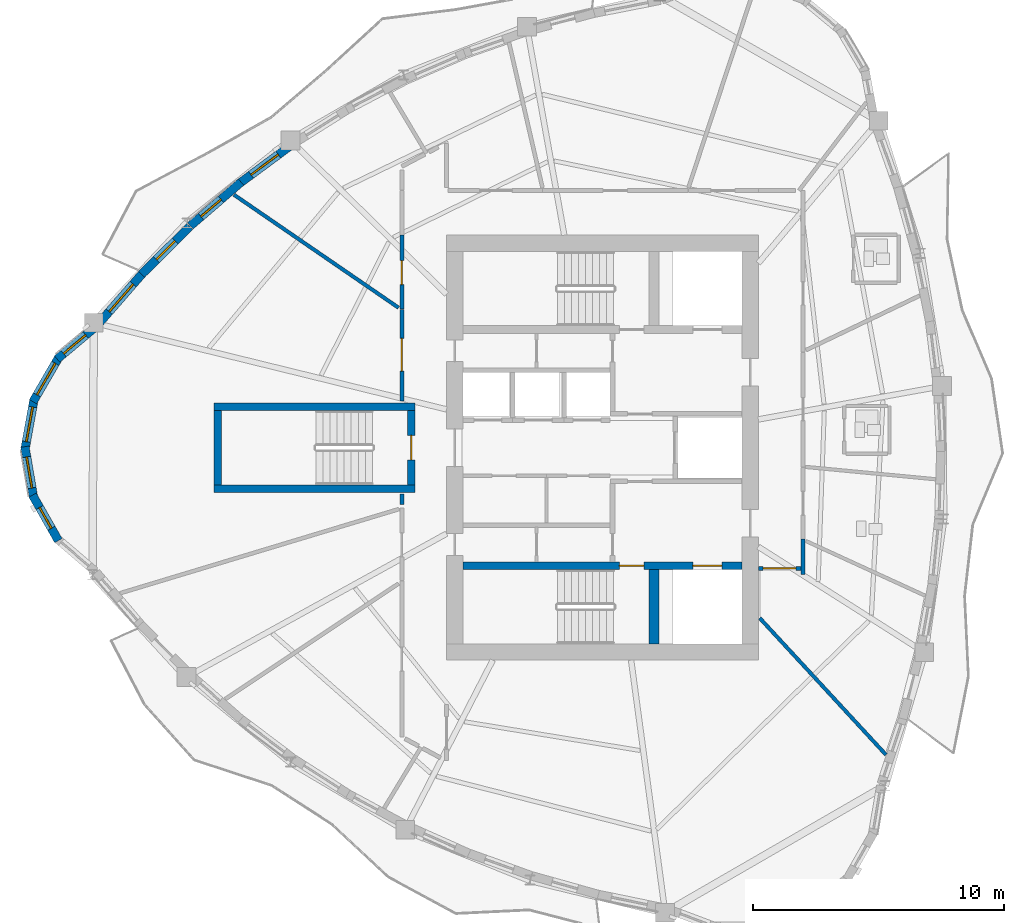
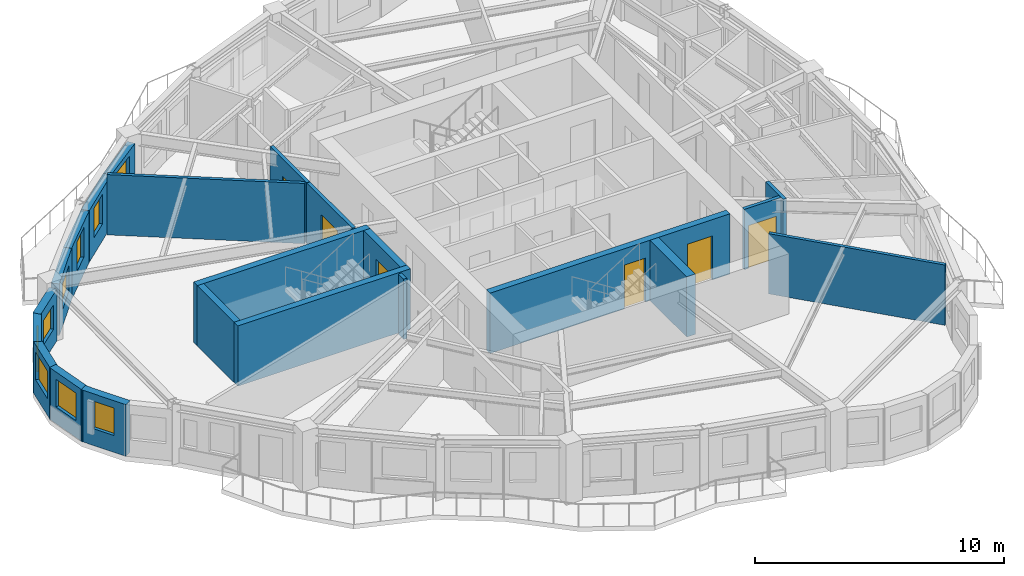
# One storey, part 4 of 12: 22 walls, 9 windows, 6 doors, 15 openings.
"""IFC4 building model written with IfcOpenShell, lengths in metres."""

from ifc_helpers import new_model, si_unit, direction, frame, frame_2d, origin, place, context, subcontext, project, spatial, rectangle, extrude, source, transform, mapped, material, layer, layer_set, type_object, element, fill, save


model = new_model("IFC4")

# Units and contexts
model_context = context("Model", 3, precision=1e-05, world=origin(), true_north=direction((0.0, 1.0)))
body_context = subcontext(model_context, "Body", "Model", "MODEL_VIEW")
ifc_project = project(units=[si_unit("LENGTHUNIT", "METRE"), si_unit("AREAUNIT", "SQUARE_METRE"), si_unit("VOLUMEUNIT", "CUBIC_METRE"), si_unit("PLANEANGLEUNIT", "RADIAN"), si_unit("MASSUNIT", "GRAM", prefix="KILO")], contexts=[model_context])

# Site, building, storey
site_placement = place(None, origin())
site = spatial("IfcSite", under=ifc_project, at=site_placement, CompositionType="ELEMENT")
building_placement = place(site_placement, origin())
building = spatial("IfcBuilding", under=site, at=building_placement, Name="Qafzar Sky-Pleat Residences", CompositionType="ELEMENT")
storey_placement = place(building_placement, frame((0.0, 0.0, 142.60009765625)))
storey = spatial("IfcBuildingStorey", under=building, at=storey_placement, Name="L42", CompositionType="ELEMENT", Elevation=142.60009765625)

# Wall, opening, door
ifc_material_1 = material(Name="Acoustic gypsum plasterboard partition", Category="gypsum")
ifc_layer_1 = layer(ifc_material_1, 0.159912109375)
ifc_layer_set_1 = layer_set([ifc_layer_1], Name="Acoustic gypsum plasterboard partition")
wall_type_1 = type_object("IfcWallType", Name="PART-COR-160", PredefinedType="PARTITIONING", material=ifc_layer_set_1)
wall_1_placement = place(storey_placement, frame((22.3701171875, 27.85009765625, 0.0), z_axis=(0.0, 0.0, 1.0), x_axis=(0.0, 1.0, 0.0)))
wall_1 = element("IfcWall", 1, at=wall_1_placement, inside=storey, type_object=wall_type_1, Name="L42 Partition Wall PART-L42-PW-006", PredefinedType="PARTITIONING", context=body_context, shape_type="SweptSolid", body=[
    extrude(rectangle(XDim=3.64599609375, YDim=0.159912109375, at=frame_2d((1.822998046875, 0.0))), origin(), (0.0, 0.0, 1.0), 2.949951171875),
])
opening_1_placement = place(wall_1_placement, frame((1.193603515625, 0.0, 0.0)))
opening_1 = element("IfcOpeningElement", 2, at=opening_1_placement, cuts=wall_1, Name="Opening ID-05", PredefinedType="OPENING", context=body_context, shape_type="SweptSolid", body=[
    extrude(rectangle(XDim=1.300048828125, YDim=2.10009765625, at=frame_2d((0.64990234375, 1.050048828125))), frame((0.0, 0.08984375, 0.0), z_axis=(0.0, -1.0, 0.0), x_axis=(1.0, 0.0, 0.0)), (0.0, 0.0, 1.0), 0.179931640625),
])
ifc_material_2 = material(Name="Timber-faced fire door", Category="wood")
door_type_1 = type_object("IfcDoorType", Name="DR-LNG-1300", OperationType="DOUBLE_DOOR_SINGLE_SWING", PredefinedType="DOOR", material=ifc_material_2)
shared_shape_1 = source(origin(), body_context, "Body", "SweptSolid", [
    extrude(rectangle(XDim=1.300048828125, YDim=2.10009765625, at=frame_2d((0.64990234375, 1.050048828125))), frame((0.0, 0.02490234375, 0.0), z_axis=(0.0, -1.0, 0.0), x_axis=(1.0, 0.0, 0.0)), (0.0, 0.0, 1.0), 0.050048828125),
])
door_1_placement = place(opening_1_placement, origin())
door_1 = element("IfcDoor", 3, at=door_1_placement, inside=storey, type_object=door_type_1, Name="L42 Tutorial Huddle Room Door", OperationType="DOUBLE_DOOR_SINGLE_SWING", OverallHeight=2.10009765625, OverallWidth=1.300048828125, PredefinedType="DOOR", context=body_context, shape_type="MappedRepresentation", body=[
    mapped(shared_shape_1, transform((0.0, 0.0, 0.0), x_axis=(1.0, 0.0, 0.0), y_axis=(0.0, 1.0, 0.0), z_axis=(0.0, 0.0, 1.0), scale=1.0)),
])
fill(opening_1, door_1)

wall_2_placement = place(storey_placement, frame((22.3701171875, 31.510986328125, 0.0), z_axis=(0.0, 0.0, 1.0), x_axis=(0.0, 1.0, 0.0)))
wall_2 = element("IfcWall", 4, at=wall_2_placement, inside=storey, type_object=wall_type_1, Name="L42 Partition Wall PART-L42-PW-007", PredefinedType="PARTITIONING", context=body_context, shape_type="SweptSolid", body=[
    extrude(rectangle(XDim=2.93896484375, YDim=0.159912109375, at=frame_2d((1.469482421875, 0.0))), origin(), (0.0, 0.0, 1.0), 2.949951171875),
])
opening_2_placement = place(wall_2_placement, frame((0.972900390625, 0.0, 0.0)))
opening_2 = element("IfcOpeningElement", 5, at=opening_2_placement, cuts=wall_2, Name="Opening ID-06", PredefinedType="OPENING", context=body_context, shape_type="SweptSolid", body=[
    extrude(rectangle(XDim=0.9599609375, YDim=2.10009765625, at=frame_2d((0.47998046875, 1.050048828125))), frame((0.0, 0.08984375, 0.0), z_axis=(0.0, -1.0, 0.0), x_axis=(1.0, 0.0, 0.0)), (0.0, 0.0, 1.0), 0.179931640625),
])
door_type_2 = type_object("IfcDoorType", Name="DR-STD-960", OperationType="NOTDEFINED", PredefinedType="DOOR", material=ifc_material_2)
shared_shape_2 = source(origin(), body_context, "Body", "SweptSolid", [
    extrude(rectangle(XDim=0.9599609375, YDim=2.10009765625, at=frame_2d((0.47998046875, 1.050048828125))), frame((0.0, 0.02490234375, 0.0), z_axis=(0.0, -1.0, 0.0), x_axis=(1.0, 0.0, 0.0)), (0.0, 0.0, 1.0), 0.050048828125),
])
door_2_placement = place(opening_2_placement, origin())
door_2 = element("IfcDoor", 6, at=door_2_placement, inside=storey, type_object=door_type_2, Name="L42 Media Screening Room Door", OperationType="SINGLE_SWING_LEFT", OverallHeight=2.10009765625, OverallWidth=0.9599609375, PredefinedType="DOOR", context=body_context, shape_type="MappedRepresentation", body=[
    mapped(shared_shape_2, transform((0.0, 0.0, 0.0), x_axis=(1.0, 0.0, 0.0), y_axis=(0.0, 1.0, 0.0), z_axis=(0.0, 0.0, 1.0), scale=1.0)),
])
fill(opening_2, door_2)

wall_3_placement = place(storey_placement, frame((38.241943359375, 21.199951171875, 0.0), z_axis=(0.0, 0.0, 1.0), x_axis=(-1.0, 0.0, 0.0)))
wall_3 = element("IfcWall", 7, at=wall_3_placement, inside=storey, type_object=wall_type_1, Name="L42 Partition Wall PART-L42-PW-014", PredefinedType="PARTITIONING", context=body_context, shape_type="SweptSolid", body=[
    extrude(rectangle(XDim=1.683837890625, YDim=0.159912109375, at=frame_2d((0.841796875, 0.0))), origin(), (0.0, 0.0, 1.0), 2.949951171875),
])
opening_3_placement = place(wall_3_placement, frame((0.199951171875, 0.0, 0.0)))
opening_3 = element("IfcOpeningElement", 8, at=opening_3_placement, cuts=wall_3, Name="Opening ID-05", PredefinedType="OPENING", context=body_context, shape_type="SweptSolid", body=[
    extrude(rectangle(XDim=1.300048828125, YDim=2.10009765625, at=frame_2d((0.64990234375, 1.050048828125))), frame((0.0, 0.08984375, 0.0), z_axis=(0.0, -1.0, 0.0), x_axis=(1.0, 0.0, 0.0)), (0.0, 0.0, 1.0), 0.179931640625),
])
door_3_placement = place(opening_3_placement, origin())
door_3 = element("IfcDoor", 9, at=door_3_placement, inside=storey, type_object=door_type_1, Name="L42 Co-Living Lounge Door", OperationType="DOUBLE_DOOR_SINGLE_SWING", OverallHeight=2.10009765625, OverallWidth=1.300048828125, PredefinedType="DOOR", context=body_context, shape_type="MappedRepresentation", body=[
    mapped(shared_shape_1, transform((0.0, 0.0, 0.0), x_axis=(1.0, 0.0, 0.0), y_axis=(0.0, 1.0, 0.0), z_axis=(0.0, 0.0, 1.0), scale=1.0)),
])
fill(opening_3, door_3)

# Walls
wall_4_placement = place(storey_placement, frame((38.330078125, 20.9599609375, 0.0), z_axis=(0.0, 0.0, 1.0), x_axis=(0.0, 1.0, 0.0)))
element("IfcWall", 10, at=wall_4_placement, inside=storey, type_object=wall_type_1, Name="L42 Partition Wall PART-L42-PW-038", PredefinedType="PARTITIONING", context=body_context, shape_type="SweptSolid", body=[
    extrude(rectangle(XDim=1.407958984375, YDim=0.159912109375, at=frame_2d((0.7041015625, 0.0))), origin(), (0.0, 0.0, 1.0), 2.949951171875),
])
wall_5_placement = place(storey_placement, frame((22.3701171875, 23.73095703125, 0.0), z_axis=(0.0, 0.0, 1.0), x_axis=(0.0, 1.0, 0.0)))
element("IfcWall", 11, at=wall_5_placement, inside=storey, type_object=wall_type_1, Name="L42 Partition Wall PART-L42-PW-042", PredefinedType="PARTITIONING", context=body_context, shape_type="SweptSolid", body=[
    extrude(rectangle(XDim=0.4189453125, YDim=0.159912109375, at=frame_2d((0.20947265625, 0.0))), origin(), (0.0, 0.0, 1.0), 2.949951171875),
])
ifc_layer_2 = layer(ifc_material_1, 0.14501953125)
ifc_layer_set_2 = layer_set([ifc_layer_2], Name="Acoustic gypsum plasterboard partition")
wall_type_2 = type_object("IfcWallType", Name="PART-UNIT-145", PredefinedType="PARTITIONING", material=ifc_layer_set_2)
wall_6_placement = place(storey_placement, frame((15.696044921875, 36.059814453125, 0.0), z_axis=(0.0, 0.0, 1.0), x_axis=(0.824423900824, -0.565972818914, 0.0)))
element("IfcWall", 12, at=wall_6_placement, inside=storey, type_object=wall_type_2, Name="L42 Partition Wall PART-L42-PW-018", PredefinedType="PARTITIONING", context=body_context, shape_type="SweptSolid", body=[
    extrude(rectangle(XDim=7.940673828125, YDim=0.14501953125, at=frame_2d((3.97021484375, 0.0))), origin(), (0.0, 0.0, 1.0), 2.949951171875),
])
wall_7_placement = place(storey_placement, frame((36.608642578125, 19.221435546875, 0.0), z_axis=(0.0, 0.0, 1.0), x_axis=(0.67832941292, -0.734757924467, 0.0)))
element("IfcWall", 13, at=wall_7_placement, inside=storey, type_object=wall_type_2, Name="L42 Partition Wall PART-L42-PW-019", PredefinedType="PARTITIONING", context=body_context, shape_type="SweptSolid", body=[
    extrude(rectangle(XDim=7.40283203125, YDim=0.14501953125, at=frame_2d((3.701416015625, 0.0))), origin(), (0.0, 0.0, 1.0), 2.949951171875),
])

# Wall, opening, window
ifc_material_3 = material(Name="Precast concrete C40/50 with honed Riyadh limestone", Category="concrete")
ifc_layer_3 = layer(ifc_material_3, 0.340087890625)
ifc_layer_set_3 = layer_set([ifc_layer_3], Name="Precast concrete C40/50 with honed Riyadh limestone")
wall_type_3 = type_object("IfcWallType", Name="WALL-EXT-340", PredefinedType="SOLIDWALL", material=ifc_layer_set_3)
wall_8_placement = place(storey_placement, frame((10.109375, 30.737548828125, 0.0), z_axis=(0.0, 0.0, 1.0), x_axis=(-0.76661852922, -0.642102819381, 0.0)))
wall_8 = element("IfcWall", 14, at=wall_8_placement, inside=storey, type_object=wall_type_3, Name="L42 Limestone Facade Wall 1", PredefinedType="SOLIDWALL", context=body_context, shape_type="SweptSolid", body=[
    extrude(rectangle(XDim=1.88818359375, YDim=0.340087890625, at=frame_2d((0.944091796875, 0.0))), origin(), (0.0, 0.0, 1.0), 2.52978515625),
])
opening_4_placement = place(wall_8_placement, frame((0.404052734375, 0.0, 0.820068359375)))
opening_4 = element("IfcOpeningElement", 15, at=opening_4_placement, cuts=wall_8, Name="Opening WN-16", PredefinedType="OPENING", context=body_context, shape_type="SweptSolid", body=[
    extrude(rectangle(XDim=1.14990234375, YDim=1.199951171875, at=frame_2d((0.574951171875, 0.60009765625))), frame((0.0, 0.18017578125, 0.0), z_axis=(0.0, -1.0, 0.0), x_axis=(1.0, 0.0, 0.0)), (0.0, 0.0, 1.0), 0.360107421875),
])
ifc_material_4 = material(Name="Solar-control low-E glass in bronze aluminium frame", Category="glass")
window_type_1 = type_object("IfcWindowType", Name="WIN-16", PartitioningType="SINGLE_PANEL", PredefinedType="WINDOW", material=ifc_material_4)
shared_shape_3 = source(origin(), body_context, "Body", "SweptSolid", [
    extrude(rectangle(XDim=1.14990234375, YDim=1.199951171875, at=frame_2d((0.574951171875, 0.60009765625))), frame((0.0, 0.030029296875, 0.0), z_axis=(0.0, -1.0, 0.0), x_axis=(1.0, 0.0, 0.0)), (0.0, 0.0, 1.0), 0.06005859375),
])
window_1_placement = place(opening_4_placement, origin())
window_1 = element("IfcWindow", 16, at=window_1_placement, inside=storey, type_object=window_type_1, Name="L42 Punched Facade Window 01", OverallHeight=1.199951171875, OverallWidth=1.14990234375, PartitioningType="SINGLE_PANEL", PredefinedType="WINDOW", context=body_context, shape_type="MappedRepresentation", body=[
    mapped(shared_shape_3, transform((0.0, 0.0, 0.0), x_axis=(1.0, 0.0, 0.0), y_axis=(0.0, 1.0, 0.0), z_axis=(0.0, 0.0, 1.0), scale=1.0)),
])
fill(opening_4, window_1)

wall_9_placement = place(storey_placement, frame((8.747802734375, 29.627197265625, 0.0), z_axis=(0.0, 0.0, 1.0), x_axis=(-0.502090235641, -0.864815237651, 0.0)))
wall_9 = element("IfcWall", 17, at=wall_9_placement, inside=storey, type_object=wall_type_3, Name="L42 Limestone Facade Wall 2", PredefinedType="SOLIDWALL", context=body_context, shape_type="SweptSolid", body=[
    extrude(rectangle(XDim=2.0810546875, YDim=0.340087890625, at=frame_2d((1.04052734375, 0.0))), origin(), (0.0, 0.0, 1.0), 2.52978515625),
])
opening_5_placement = place(wall_9_placement, frame((0.315673828125, 0.0, 0.820068359375)))
opening_5 = element("IfcOpeningElement", 18, at=opening_5_placement, cuts=wall_9, Name="Opening WN-15", PredefinedType="OPENING", context=body_context, shape_type="SweptSolid", body=[
    extrude(rectangle(XDim=1.449951171875, YDim=1.25, at=frame_2d((0.72509765625, 0.625))), frame((0.0, 0.18017578125, 0.0), z_axis=(0.0, -1.0, 0.0), x_axis=(1.0, 0.0, 0.0)), (0.0, 0.0, 1.0), 0.360107421875),
])
window_type_2 = type_object("IfcWindowType", Name="WIN-15", PartitioningType="SINGLE_PANEL", PredefinedType="WINDOW", material=ifc_material_4)
shared_shape_4 = source(origin(), body_context, "Body", "SweptSolid", [
    extrude(rectangle(XDim=1.449951171875, YDim=1.25, at=frame_2d((0.72509765625, 0.625))), frame((0.0, 0.030029296875, 0.0), z_axis=(0.0, -1.0, 0.0), x_axis=(1.0, 0.0, 0.0)), (0.0, 0.0, 1.0), 0.06005859375),
])
window_2_placement = place(opening_5_placement, origin())
window_2 = element("IfcWindow", 19, at=window_2_placement, inside=storey, type_object=window_type_2, Name="L42 Punched Facade Window 02", OverallHeight=1.25, OverallWidth=1.449951171875, PartitioningType="SINGLE_PANEL", PredefinedType="WINDOW", context=body_context, shape_type="MappedRepresentation", body=[
    mapped(shared_shape_4, transform((0.0, 0.0, 0.0), x_axis=(1.0, 0.0, 0.0), y_axis=(0.0, 1.0, 0.0), z_axis=(0.0, 0.0, 1.0), scale=1.0)),
])
fill(opening_5, window_2)

wall_10_placement = place(storey_placement, frame((7.7490234375, 27.952880859375, 0.0), z_axis=(0.0, 0.0, 1.0), x_axis=(-0.177605215389, -0.984101817632, 0.0)))
wall_10 = element("IfcWall", 20, at=wall_10_placement, inside=storey, type_object=wall_type_3, Name="L42 Limestone Facade Wall 3", PredefinedType="SOLIDWALL", context=body_context, shape_type="SweptSolid", body=[
    extrude(rectangle(XDim=2.081298828125, YDim=0.340087890625, at=frame_2d((1.04052734375, 0.0))), origin(), (0.0, 0.0, 1.0), 2.52978515625),
])
opening_6_placement = place(wall_10_placement, frame((0.340576171875, 0.0, 0.820068359375)))
opening_6 = element("IfcOpeningElement", 21, at=opening_6_placement, cuts=wall_10, Name="Opening WN-10", PredefinedType="OPENING", context=body_context, shape_type="SweptSolid", body=[
    extrude(rectangle(XDim=1.39990234375, YDim=1.35009765625, at=frame_2d((0.699951171875, 0.675048828125))), frame((0.0, 0.18017578125, 0.0), z_axis=(0.0, -1.0, 0.0), x_axis=(1.0, 0.0, 0.0)), (0.0, 0.0, 1.0), 0.360107421875),
])
window_type_3 = type_object("IfcWindowType", Name="WIN-10", PartitioningType="SINGLE_PANEL", PredefinedType="WINDOW", material=ifc_material_4)
shared_shape_5 = source(origin(), body_context, "Body", "SweptSolid", [
    extrude(rectangle(XDim=1.39990234375, YDim=1.35009765625, at=frame_2d((0.699951171875, 0.675048828125))), frame((0.0, 0.030029296875, 0.0), z_axis=(0.0, -1.0, 0.0), x_axis=(1.0, 0.0, 0.0)), (0.0, 0.0, 1.0), 0.06005859375),
])
window_3_placement = place(opening_6_placement, origin())
window_3 = element("IfcWindow", 22, at=window_3_placement, inside=storey, type_object=window_type_3, Name="L42 Punched Facade Window 03", OverallHeight=1.35009765625, OverallWidth=1.39990234375, PartitioningType="SINGLE_PANEL", PredefinedType="WINDOW", context=body_context, shape_type="MappedRepresentation", body=[
    mapped(shared_shape_5, transform((0.0, 0.0, 0.0), x_axis=(1.0, 0.0, 0.0), y_axis=(0.0, 1.0, 0.0), z_axis=(0.0, 0.0, 1.0), scale=1.0)),
])
fill(opening_6, window_3)

wall_11_placement = place(storey_placement, frame((7.380126953125, 26.03857421875, 0.0), z_axis=(0.0, 0.0, 1.0), x_axis=(0.168107405166, -0.985768685001, 0.0)))
wall_11 = element("IfcWall", 23, at=wall_11_placement, inside=storey, type_object=wall_type_3, Name="L42 Limestone Facade Wall 4", PredefinedType="SOLIDWALL", context=body_context, shape_type="SweptSolid", body=[
    extrude(rectangle(XDim=2.0810546875, YDim=0.340087890625, at=frame_2d((1.04052734375, 0.0))), origin(), (0.0, 0.0, 1.0), 2.52978515625),
])
opening_7_placement = place(wall_11_placement, frame((0.41552734375, 0.0, 0.820068359375)))
opening_7 = element("IfcOpeningElement", 24, at=opening_7_placement, cuts=wall_11, Name="Opening WN-11", PredefinedType="OPENING", context=body_context, shape_type="SweptSolid", body=[
    extrude(rectangle(XDim=1.25, YDim=1.35009765625, at=frame_2d((0.625, 0.675048828125))), frame((0.0, 0.18017578125, 0.0), z_axis=(0.0, -1.0, 0.0), x_axis=(1.0, 0.0, 0.0)), (0.0, 0.0, 1.0), 0.360107421875),
])
window_type_4 = type_object("IfcWindowType", Name="WIN-11", PartitioningType="SINGLE_PANEL", PredefinedType="WINDOW", material=ifc_material_4)
shared_shape_6 = source(origin(), body_context, "Body", "SweptSolid", [
    extrude(rectangle(XDim=1.25, YDim=1.35009765625, at=frame_2d((0.625, 0.675048828125))), frame((0.0, 0.030029296875, 0.0), z_axis=(0.0, -1.0, 0.0), x_axis=(1.0, 0.0, 0.0)), (0.0, 0.0, 1.0), 0.06005859375),
])
window_4_placement = place(opening_7_placement, origin())
window_4 = element("IfcWindow", 25, at=window_4_placement, inside=storey, type_object=window_type_4, Name="L42 Punched Facade Window 04", OverallHeight=1.35009765625, OverallWidth=1.25, PartitioningType="SINGLE_PANEL", PredefinedType="WINDOW", context=body_context, shape_type="MappedRepresentation", body=[
    mapped(shared_shape_6, transform((0.0, 0.0, 0.0), x_axis=(1.0, 0.0, 0.0), y_axis=(0.0, 1.0, 0.0), z_axis=(0.0, 0.0, 1.0), scale=1.0)),
])
fill(opening_7, window_4)

wall_12_placement = place(storey_placement, frame((7.68505859375, 24.11279296875, 0.0), z_axis=(0.0, 0.0, 1.0), x_axis=(0.49374939324, -0.869604241408, 0.0)))
wall_12 = element("IfcWall", 26, at=wall_12_placement, inside=storey, type_object=wall_type_3, Name="L42 Limestone Facade Wall 5", PredefinedType="SOLIDWALL", context=body_context, shape_type="SweptSolid", body=[
    extrude(rectangle(XDim=2.081298828125, YDim=0.340087890625, at=frame_2d((1.04052734375, 0.0))), origin(), (0.0, 0.0, 1.0), 2.52978515625),
])
opening_8_placement = place(wall_12_placement, frame((0.565673828125, 0.0, 0.820068359375)))
opening_8 = element("IfcOpeningElement", 27, at=opening_8_placement, cuts=wall_12, Name="Opening WN-12", PredefinedType="OPENING", context=body_context, shape_type="SweptSolid", body=[
    extrude(rectangle(XDim=0.949951171875, YDim=1.35009765625, at=frame_2d((0.47509765625, 0.675048828125))), frame((0.0, 0.18017578125, 0.0), z_axis=(0.0, -1.0, 0.0), x_axis=(1.0, 0.0, 0.0)), (0.0, 0.0, 1.0), 0.360107421875),
])
window_type_5 = type_object("IfcWindowType", Name="WIN-12", PartitioningType="SINGLE_PANEL", PredefinedType="WINDOW", material=ifc_material_4)
shared_shape_7 = source(origin(), body_context, "Body", "SweptSolid", [
    extrude(rectangle(XDim=0.949951171875, YDim=1.35009765625, at=frame_2d((0.47509765625, 0.675048828125))), frame((0.0, 0.030029296875, 0.0), z_axis=(0.0, -1.0, 0.0), x_axis=(1.0, 0.0, 0.0)), (0.0, 0.0, 1.0), 0.06005859375),
])
window_5_placement = place(opening_8_placement, origin())
window_5 = element("IfcWindow", 28, at=window_5_placement, inside=storey, type_object=window_type_5, Name="L42 Punched Facade Window 05", OverallHeight=1.35009765625, OverallWidth=0.949951171875, PartitioningType="SINGLE_PANEL", PredefinedType="WINDOW", context=body_context, shape_type="MappedRepresentation", body=[
    mapped(shared_shape_7, transform((0.0, 0.0, 0.0), x_axis=(1.0, 0.0, 0.0), y_axis=(0.0, 1.0, 0.0), z_axis=(0.0, 0.0, 1.0), scale=1.0)),
])
fill(opening_8, window_5)

wall_13_placement = place(storey_placement, frame((17.91748046875, 37.9931640625, 0.0), z_axis=(0.0, 0.0, 1.0), x_axis=(-0.803792400414, -0.594909889846, 0.0)))
wall_13 = element("IfcWall", 29, at=wall_13_placement, inside=storey, type_object=wall_type_3, Name="L42 Limestone Facade Wall 45", PredefinedType="SOLIDWALL", context=body_context, shape_type="SweptSolid", body=[
    extrude(rectangle(XDim=2.5, YDim=0.340087890625, at=frame_2d((1.25, 0.0))), origin(), (0.0, 0.0, 1.0), 2.52978515625),
])
opening_9_placement = place(wall_13_placement, frame((0.570068359375, 0.0, 0.820068359375)))
opening_9 = element("IfcOpeningElement", 30, at=opening_9_placement, cuts=wall_13, Name="Opening WN-04", PredefinedType="OPENING", context=body_context, shape_type="SweptSolid", body=[
    extrude(rectangle(XDim=1.35009765625, YDim=1.449951171875, at=frame_2d((0.675048828125, 0.72509765625))), frame((0.0, 0.18017578125, 0.0), z_axis=(0.0, -1.0, 0.0), x_axis=(1.0, 0.0, 0.0)), (0.0, 0.0, 1.0), 0.360107421875),
])
window_type_6 = type_object("IfcWindowType", Name="WIN-04", PartitioningType="SINGLE_PANEL", PredefinedType="WINDOW", material=ifc_material_4)
shared_shape_8 = source(origin(), body_context, "Body", "SweptSolid", [
    extrude(rectangle(XDim=1.35009765625, YDim=1.449951171875, at=frame_2d((0.675048828125, 0.72509765625))), frame((0.0, 0.030029296875, 0.0), z_axis=(0.0, -1.0, 0.0), x_axis=(1.0, 0.0, 0.0)), (0.0, 0.0, 1.0), 0.06005859375),
])
window_6_placement = place(opening_9_placement, origin())
window_6 = element("IfcWindow", 31, at=window_6_placement, inside=storey, type_object=window_type_6, Name="L42 Punched Facade Window 45", OverallHeight=1.449951171875, OverallWidth=1.35009765625, PartitioningType="SINGLE_PANEL", PredefinedType="WINDOW", context=body_context, shape_type="MappedRepresentation", body=[
    mapped(shared_shape_8, transform((0.0, 0.0, 0.0), x_axis=(1.0, 0.0, 0.0), y_axis=(0.0, 1.0, 0.0), z_axis=(0.0, 0.0, 1.0), scale=1.0)),
])
fill(opening_9, window_6)

wall_14_placement = place(storey_placement, frame((15.97705078125, 36.56103515625, 0.0), z_axis=(0.0, 0.0, 1.0), x_axis=(-0.757481825022, -0.652856251223, 0.0)))
wall_14 = element("IfcWall", 32, at=wall_14_placement, inside=storey, type_object=wall_type_3, Name="L42 Limestone Facade Wall 46", PredefinedType="SOLIDWALL", context=body_context, shape_type="SweptSolid", body=[
    extrude(rectangle(XDim=2.664794921875, YDim=0.340087890625, at=frame_2d((1.33251953125, 0.0))), origin(), (0.0, 0.0, 1.0), 2.52978515625),
])
opening_10_placement = place(wall_14_placement, frame((1.052490234375, 0.0, 0.820068359375)))
opening_10 = element("IfcOpeningElement", 33, at=opening_10_placement, cuts=wall_14, Name="Opening WN-06", PredefinedType="OPENING", context=body_context, shape_type="SweptSolid", body=[
    extrude(rectangle(XDim=1.050048828125, YDim=1.449951171875, at=frame_2d((0.52490234375, 0.72509765625))), frame((0.0, 0.18017578125, 0.0), z_axis=(0.0, -1.0, 0.0), x_axis=(1.0, 0.0, 0.0)), (0.0, 0.0, 1.0), 0.360107421875),
])
window_type_7 = type_object("IfcWindowType", Name="WIN-06", PartitioningType="SINGLE_PANEL", PredefinedType="WINDOW", material=ifc_material_4)
shared_shape_9 = source(origin(), body_context, "Body", "SweptSolid", [
    extrude(rectangle(XDim=1.050048828125, YDim=1.449951171875, at=frame_2d((0.52490234375, 0.72509765625))), frame((0.0, 0.030029296875, 0.0), z_axis=(0.0, -1.0, 0.0), x_axis=(1.0, 0.0, 0.0)), (0.0, 0.0, 1.0), 0.06005859375),
])
window_7_placement = place(opening_10_placement, origin())
window_7 = element("IfcWindow", 34, at=window_7_placement, inside=storey, type_object=window_type_7, Name="L42 Punched Facade Window 46-2", OverallHeight=1.449951171875, OverallWidth=1.050048828125, PartitioningType="SINGLE_PANEL", PredefinedType="WINDOW", context=body_context, shape_type="MappedRepresentation", body=[
    mapped(shared_shape_9, transform((0.0, 0.0, 0.0), x_axis=(1.0, 0.0, 0.0), y_axis=(0.0, 1.0, 0.0), z_axis=(0.0, 0.0, 1.0), scale=1.0)),
])
fill(opening_10, window_7)

wall_15_placement = place(storey_placement, frame((13.93798828125, 34.802490234375, 0.0), z_axis=(0.0, 0.0, 1.0), x_axis=(-0.708367539121, -0.705843771326, 0.0)))
wall_15 = element("IfcWall", 35, at=wall_15_placement, inside=storey, type_object=wall_type_3, Name="L42 Limestone Facade Wall 47", PredefinedType="SOLIDWALL", context=body_context, shape_type="SweptSolid", body=[
    extrude(rectangle(XDim=2.708740234375, YDim=0.340087890625, at=frame_2d((1.3544921875, 0.0))), origin(), (0.0, 0.0, 1.0), 2.52978515625),
])
opening_11_placement = place(wall_15_placement, frame((0.8193359375, 0.0, 0.820068359375)))
opening_11 = element("IfcOpeningElement", 36, at=opening_11_placement, cuts=wall_15, Name="Opening WN-06", PredefinedType="OPENING", context=body_context, shape_type="SweptSolid", body=[
    extrude(rectangle(XDim=1.050048828125, YDim=1.449951171875, at=frame_2d((0.52490234375, 0.72509765625))), frame((0.0, 0.18017578125, 0.0), z_axis=(0.0, -1.0, 0.0), x_axis=(1.0, 0.0, 0.0)), (0.0, 0.0, 1.0), 0.360107421875),
])
window_8_placement = place(opening_11_placement, origin())
window_8 = element("IfcWindow", 37, at=window_8_placement, inside=storey, type_object=window_type_7, Name="L42 Punched Facade Window 47", OverallHeight=1.449951171875, OverallWidth=1.050048828125, PartitioningType="SINGLE_PANEL", PredefinedType="WINDOW", context=body_context, shape_type="MappedRepresentation", body=[
    mapped(shared_shape_9, transform((0.0, 0.0, 0.0), x_axis=(1.0, 0.0, 0.0), y_axis=(0.0, 1.0, 0.0), z_axis=(0.0, 0.0, 1.0), scale=1.0)),
])
fill(opening_11, window_8)

wall_16_placement = place(storey_placement, frame((12.079345703125, 32.95458984375, 0.0), z_axis=(0.0, 0.0, 1.0), x_axis=(-0.657656813057, -0.753317672857, 0.0)))
wall_16 = element("IfcWall", 38, at=wall_16_placement, inside=storey, type_object=wall_type_3, Name="L42 Limestone Facade Wall 48", PredefinedType="SOLIDWALL", context=body_context, shape_type="SweptSolid", body=[
    extrude(rectangle(XDim=2.63134765625, YDim=0.340087890625, at=frame_2d((1.315673828125, 0.0))), origin(), (0.0, 0.0, 1.0), 2.52978515625),
])
opening_12_placement = place(wall_16_placement, frame((0.595703125, 0.0, 0.820068359375)))
opening_12 = element("IfcOpeningElement", 39, at=opening_12_placement, cuts=wall_16, Name="Opening WN-15", PredefinedType="OPENING", context=body_context, shape_type="SweptSolid", body=[
    extrude(rectangle(XDim=1.449951171875, YDim=1.25, at=frame_2d((0.72509765625, 0.625))), frame((0.0, 0.18017578125, 0.0), z_axis=(0.0, -1.0, 0.0), x_axis=(1.0, 0.0, 0.0)), (0.0, 0.0, 1.0), 0.360107421875),
])
window_9_placement = place(opening_12_placement, origin())
window_9 = element("IfcWindow", 40, at=window_9_placement, inside=storey, type_object=window_type_2, Name="L42 Punched Facade Window 48", OverallHeight=1.25, OverallWidth=1.449951171875, PartitioningType="SINGLE_PANEL", PredefinedType="WINDOW", context=body_context, shape_type="MappedRepresentation", body=[
    mapped(shared_shape_4, transform((0.0, 0.0, 0.0), x_axis=(1.0, 0.0, 0.0), y_axis=(0.0, 1.0, 0.0), z_axis=(0.0, 0.0, 1.0), scale=1.0)),
])
fill(opening_12, window_9)

# Wall, openings, doors
ifc_material_5 = material(Name="Concrete C60/75", Category="concrete")
ifc_layer_4 = layer(ifc_material_5, 0.300048828125)
ifc_layer_set_4 = layer_set([ifc_layer_4], Name="Concrete C60/75")
wall_type_4 = type_object("IfcWallType", Name="WALL-SHEAR-300", PredefinedType="SHEAR", material=ifc_layer_set_4)
wall_17_placement = place(storey_placement, frame((24.800048828125, 21.300048828125, 0.0), z_axis=(0.0, 0.0, 1.0), x_axis=(1.0, 0.0, 0.0)))
wall_17 = element("IfcWall", 41, at=wall_17_placement, inside=storey, type_object=wall_type_4, Name="L42 Stair ST1 and FF1 Shaft North Wall", PredefinedType="SHEAR", context=body_context, shape_type="SweptSolid", body=[
    extrude(rectangle(XDim=11.099853515625, YDim=0.300048828125, at=frame_2d((5.5498046875, 0.0))), origin(), (0.0, 0.0, 1.0), 2.949951171875),
])
opening_13_placement = place(wall_17_placement, frame((6.219970703125, 0.0, 0.0)))
opening_13 = element("IfcOpeningElement", 42, at=opening_13_placement, cuts=wall_17, Name="Opening ID-01", PredefinedType="OPENING", context=body_context, shape_type="SweptSolid", body=[
    extrude(rectangle(XDim=0.97998046875, YDim=2.14990234375, at=frame_2d((0.489990234375, 1.074951171875))), frame((0.0, 0.16015625, 0.0), z_axis=(0.0, -1.0, 0.0), x_axis=(1.0, 0.0, 0.0)), (0.0, 0.0, 1.0), 0.320068359375),
])
opening_14_placement = place(wall_17_placement, frame((9.14990234375, 0.0, 0.0)))
opening_14 = element("IfcOpeningElement", 43, at=opening_14_placement, cuts=wall_17, Name="Opening LD-02", PredefinedType="OPENING", context=body_context, shape_type="SweptSolid", body=[
    extrude(rectangle(XDim=1.14990234375, YDim=2.14990234375, at=frame_2d((0.574951171875, 1.074951171875))), frame((0.0, 0.16015625, 0.0), z_axis=(0.0, -1.0, 0.0), x_axis=(1.0, 0.0, 0.0)), (0.0, 0.0, 1.0), 0.320068359375),
])
door_type_3 = type_object("IfcDoorType", Name="DR-STAIR-980", OperationType="NOTDEFINED", PredefinedType="DOOR", material=ifc_material_2)
shared_shape_10 = source(origin(), body_context, "Body", "SweptSolid", [
    extrude(rectangle(XDim=0.97998046875, YDim=2.14990234375, at=frame_2d((0.489990234375, 1.074951171875))), frame((0.0, 0.02490234375, 0.0), z_axis=(0.0, -1.0, 0.0), x_axis=(1.0, 0.0, 0.0)), (0.0, 0.0, 1.0), 0.050048828125),
])
door_4_placement = place(opening_13_placement, origin())
door_4 = element("IfcDoor", 44, at=door_4_placement, inside=storey, type_object=door_type_3, Name="L42 Stair ST1 Fire Door", OperationType="SINGLE_SWING_RIGHT", OverallHeight=2.14990234375, OverallWidth=0.97998046875, PredefinedType="DOOR", context=body_context, shape_type="MappedRepresentation", body=[
    mapped(shared_shape_10, transform((0.0, 0.0, 0.0), x_axis=(1.0, 0.0, 0.0), y_axis=(0.0, 1.0, 0.0), z_axis=(0.0, 0.0, 1.0), scale=1.0)),
])
fill(opening_13, door_4)
ifc_material_6 = material(Name="Stainless steel sliding landing door", Category="steel")
door_type_4 = type_object("IfcDoorType", Name="DR-LIFT-FF", OperationType="DOUBLE_DOOR_SLIDING", PredefinedType="DOOR", material=ifc_material_6)
shared_shape_11 = source(origin(), body_context, "Body", "SweptSolid", [
    extrude(rectangle(XDim=1.14990234375, YDim=2.14990234375, at=frame_2d((0.574951171875, 1.074951171875))), frame((0.0, 0.02490234375, 0.0), z_axis=(0.0, -1.0, 0.0), x_axis=(1.0, 0.0, 0.0)), (0.0, 0.0, 1.0), 0.050048828125),
])
door_5_placement = place(opening_14_placement, origin())
door_5 = element("IfcDoor", 45, at=door_5_placement, inside=storey, type_object=door_type_4, Name="L42 Firefighting Lift FF1 Landing Door", OperationType="DOUBLE_DOOR_SLIDING", OverallHeight=2.14990234375, OverallWidth=1.14990234375, PredefinedType="DOOR", context=body_context, shape_type="MappedRepresentation", body=[
    mapped(shared_shape_11, transform((0.0, 0.0, 0.0), x_axis=(1.0, 0.0, 0.0), y_axis=(0.0, 1.0, 0.0), z_axis=(0.0, 0.0, 1.0), scale=1.0)),
])
fill(opening_14, door_5)

# Walls
for number, where, z_axis, x_axis, name in (
    (46, (14.89990234375, 24.375, 0.0), (0.0, 0.0, 1.0), (1.0, 0.0, 0.0), "L42 ST3 wall S"),
    (47, (22.89990234375, 27.625, 0.0), (0.0, 0.0, 1.0), (-1.0, 0.0, 0.0), "L42 ST3 wall N"),
):
    element("IfcWall", number, at=place(storey_placement, frame(where, z_axis=z_axis, x_axis=x_axis)), inside=storey, type_object=wall_type_4, Name=name, PredefinedType="SHEAR", context=body_context, shape_type="SweptSolid", body=[
        extrude(rectangle(XDim=8.0, YDim=0.300048828125, at=frame_2d((4.0, 0.0))), origin(), (0.0, 0.0, 1.0), 2.949951171875),
    ])
wall_18_placement = place(storey_placement, frame((15.050048828125, 27.47509765625, 0.0), z_axis=(0.0, 0.0, 1.0), x_axis=(0.0, -1.0, 0.0)))
element("IfcWall", 48, at=wall_18_placement, inside=storey, type_object=wall_type_4, Name="L42 ST3 wall W", PredefinedType="SHEAR", context=body_context, shape_type="SweptSolid", body=[
    extrude(rectangle(XDim=2.9501953125, YDim=0.300048828125, at=frame_2d((1.47509765625, 0.0))), origin(), (0.0, 0.0, 1.0), 2.949951171875),
])

# Wall, opening, door
wall_19_placement = place(storey_placement, frame((22.75, 24.52490234375, 0.0), z_axis=(0.0, 0.0, 1.0), x_axis=(0.0, 1.0, 0.0)))
wall_19 = element("IfcWall", 49, at=wall_19_placement, inside=storey, type_object=wall_type_4, Name="L42 ST3 wall E", PredefinedType="SHEAR", context=body_context, shape_type="SweptSolid", body=[
    extrude(rectangle(XDim=2.9501953125, YDim=0.300048828125, at=frame_2d((1.47509765625, 0.0))), origin(), (0.0, 0.0, 1.0), 2.949951171875),
])
opening_15_placement = place(wall_19_placement, frame((0.985107421875, 0.0, 0.0)))
opening_15 = element("IfcOpeningElement", 50, at=opening_15_placement, cuts=wall_19, Name="Opening ID-01", PredefinedType="OPENING", context=body_context, shape_type="SweptSolid", body=[
    extrude(rectangle(XDim=0.97998046875, YDim=2.14990234375, at=frame_2d((0.489990234375, 1.074951171875))), frame((0.0, 0.16015625, 0.0), z_axis=(0.0, -1.0, 0.0), x_axis=(1.0, 0.0, 0.0)), (0.0, 0.0, 1.0), 0.320068359375),
])
door_6_placement = place(opening_15_placement, origin())
door_6 = element("IfcDoor", 51, at=door_6_placement, inside=storey, type_object=door_type_3, Name="L42 Stair ST3 Fire Door", OperationType="SINGLE_SWING_RIGHT", OverallHeight=2.14990234375, OverallWidth=0.97998046875, PredefinedType="DOOR", context=body_context, shape_type="MappedRepresentation", body=[
    mapped(shared_shape_10, transform((0.0, 0.0, 0.0), x_axis=(1.0, 0.0, 0.0), y_axis=(0.0, 1.0, 0.0), z_axis=(0.0, 0.0, 1.0), scale=1.0)),
])
fill(opening_15, door_6)

# Wall
ifc_layer_5 = layer(ifc_material_5, 0.39990234375)
ifc_layer_set_5 = layer_set([ifc_layer_5], Name="Concrete C60/75")
wall_type_5 = type_object("IfcWallType", Name="WALL-SHEAR-400", PredefinedType="SHEAR", material=ifc_layer_set_5)
wall_20_placement = place(storey_placement, frame((32.39990234375, 18.199951171875, 0.0), z_axis=(0.0, 0.0, 1.0), x_axis=(0.0, 1.0, 0.0)))
element("IfcWall", 52, at=wall_20_placement, inside=storey, type_object=wall_type_5, Name="L42 Stair ST1 East Dividing Wall", PredefinedType="SHEAR", context=body_context, shape_type="SweptSolid", body=[
    extrude(rectangle(XDim=2.949951171875, YDim=0.39990234375, at=frame_2d((1.47509765625, 0.0))), origin(), (0.0, 0.0, 1.0), 2.949951171875),
])

save(model, "model.ifc")
